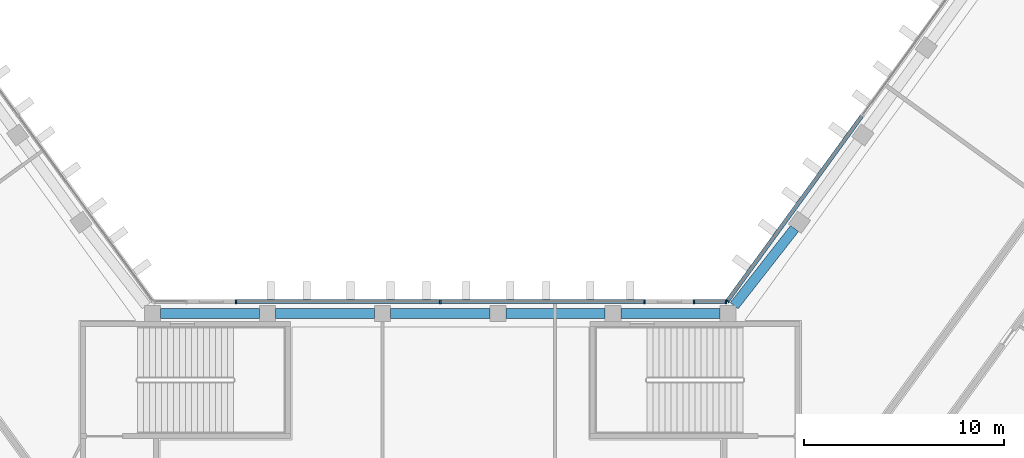
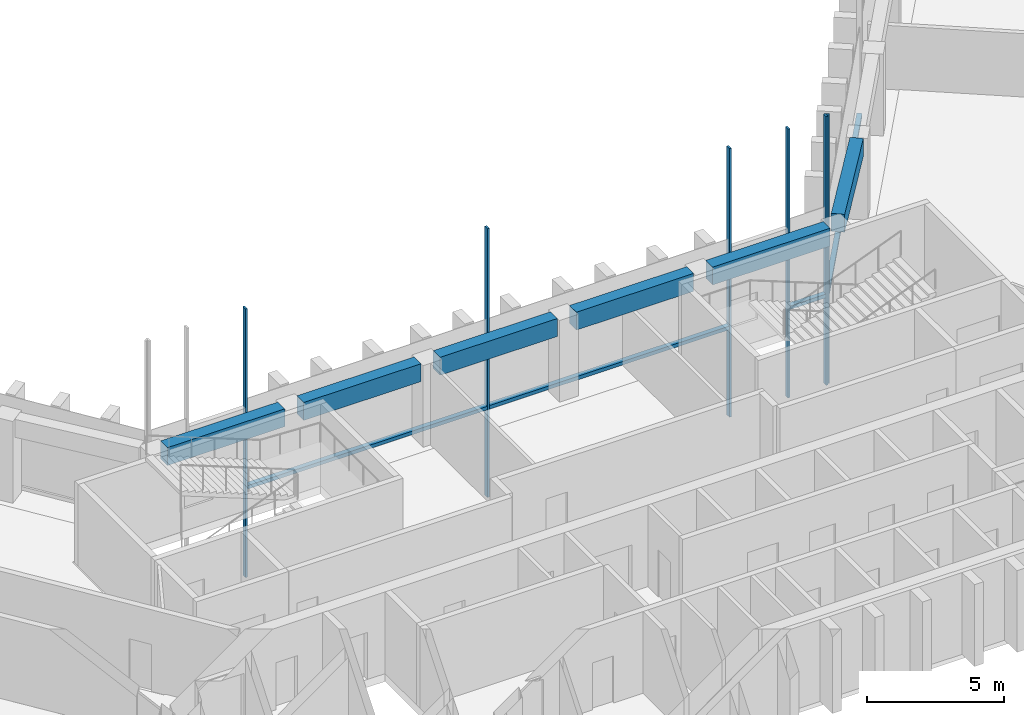
# One storey, part 3 of 15: 10 members, 6 beams, 3 elements without a shape of their own.
"""IFC4 building model written with IfcOpenShell, lengths in metres."""

from ifc_helpers import new_model, si_unit, direction, frame, origin, origin_2d, place, context, subcontext, project, spatial, rectangle, extrude, material, material_profile, profile_set, type_object, element, aggregate, save


model = new_model("IFC4")

# Units and contexts
model_context = context("Model", 3, precision=1e-05, world=origin(), true_north=direction((0.0, 1.0)))
body_context = subcontext(model_context, "Body", "Model", "MODEL_VIEW")
ifc_project = project(units=[si_unit("LENGTHUNIT", "METRE"), si_unit("AREAUNIT", "SQUARE_METRE"), si_unit("VOLUMEUNIT", "CUBIC_METRE"), si_unit("PLANEANGLEUNIT", "RADIAN"), si_unit("MASSUNIT", "GRAM", prefix="KILO")], contexts=[model_context])

# Site, building, storey
site_placement = place(None, origin())
site = spatial("IfcSite", under=ifc_project, at=site_placement, CompositionType="ELEMENT")
building_placement = place(site_placement, origin())
building = spatial("IfcBuilding", under=site, at=building_placement, Name="Quipu Civic Tower", CompositionType="ELEMENT")
storey_placement = place(building_placement, frame((0.0, 0.0, 160.0)))
storey = spatial("IfcBuildingStorey", under=building, at=storey_placement, Name="L37", CompositionType="ELEMENT", Elevation=160.0)

# Curtain wall, member
ifc_material_1 = material(Name="Insulated glass unit", Category="glass")
curtain_wall_type = type_object("IfcCurtainWallType", Name="Office curtain wall CW1", PredefinedType="NOTDEFINED", material=ifc_material_1)
curtain_wall_1_placement = place(storey_placement, origin())
curtain_wall_1 = element("IfcCurtainWall", 1, at=curtain_wall_1_placement, inside=storey, type_object=curtain_wall_type, Name="Office curtain wall CW1 L36 run 36", PredefinedType="NOTDEFINED")
ifc_material_2 = material(Name="Anodised aluminium", Category="aluminium")
ifc_material_profile_1 = material_profile(ifc_material_2, rectangle(XDim=0.199951171875, YDim=0.080078125, at=origin_2d()), Name="RECT 200x80")
ifc_profile_set_1 = profile_set([ifc_material_profile_1], Name="Anodised aluminium")
member_type_1 = type_object("IfcMemberType", Name="Mullion CW1", PredefinedType="MULLION", material=ifc_profile_set_1)
member_1_placement = place(storey_placement, frame((14.36767578125, 11.13232421875, -3.919921875), z_axis=(0.0, 0.0, 1.0), x_axis=(0.809014469803, -0.587788727052, 0.0)))
member_1 = element("IfcMember", 2, at=member_1_placement, type_object=member_type_1, Name="CW1 mullion 3", PredefinedType="MULLION", context=body_context, shape_type="SweptSolid", body=[
    extrude(rectangle(XDim=0.199951171875, YDim=0.080078125, at=origin_2d()), origin(), (0.0, 0.0, 1.0), 12.0),
])

# Curtain wall, members
curtain_wall_2_placement = place(storey_placement, origin())
curtain_wall_2 = element("IfcCurtainWall", 3, at=curtain_wall_2_placement, inside=storey, type_object=curtain_wall_type, Name="Office curtain wall CW1 L36 run 37", PredefinedType="NOTDEFINED")
member_2_placement = place(storey_placement, frame((14.30419921875, 11.10009765625, -3.919921875), z_axis=(0.0, 0.0, 1.0), x_axis=(0.0, -1.0, 0.0)))
member_2 = element("IfcMember", 4, at=member_2_placement, type_object=member_type_1, Name="CW1 mullion 1", PredefinedType="MULLION", context=body_context, shape_type="SweptSolid", body=[
    extrude(rectangle(XDim=0.199951171875, YDim=0.080078125, at=origin_2d()), origin(), (0.0, 0.0, 1.0), 12.0),
])
member_3_placement = place(storey_placement, frame((12.695068359375, 11.10009765625, -3.919921875), z_axis=(0.0, 0.0, 1.0), x_axis=(0.0, -1.0, 0.0)))
member_3 = element("IfcMember", 5, at=member_3_placement, type_object=member_type_1, Name="CW1 mullion 2", PredefinedType="MULLION", context=body_context, shape_type="SweptSolid", body=[
    extrude(rectangle(XDim=0.199951171875, YDim=0.080078125, at=origin_2d()), origin(), (0.0, 0.0, 1.0), 12.0),
])

curtain_wall_3_placement = place(storey_placement, origin())
curtain_wall_3 = element("IfcCurtainWall", 6, at=curtain_wall_3_placement, inside=storey, type_object=curtain_wall_type, Name="Office curtain wall CW1 L36 run 39", PredefinedType="NOTDEFINED")
member_4_placement = place(storey_placement, frame((10.223388671875, 11.10009765625, -3.919921875), z_axis=(0.0, 0.0, 1.0), x_axis=(0.0, -1.0, 0.0)))
member_4 = element("IfcMember", 7, at=member_4_placement, type_object=member_type_1, Name="CW1 mullion 1", PredefinedType="MULLION", context=body_context, shape_type="SweptSolid", body=[
    extrude(rectangle(XDim=0.199951171875, YDim=0.080078125, at=origin_2d()), origin(), (0.0, 0.0, 1.0), 12.0),
])
member_5_placement = place(storey_placement, frame((0.0, 11.10009765625, -3.919921875), z_axis=(0.0, 0.0, 1.0), x_axis=(0.0, -1.0, 0.0)))
member_5 = element("IfcMember", 8, at=member_5_placement, type_object=member_type_1, Name="CW1 mullion 2", PredefinedType="MULLION", context=body_context, shape_type="SweptSolid", body=[
    extrude(rectangle(XDim=0.199951171875, YDim=0.080078125, at=origin_2d()), origin(), (0.0, 0.0, 1.0), 12.0),
])
member_6_placement = place(storey_placement, frame((-10.223388671875, 11.10009765625, -3.919921875), z_axis=(0.0, 0.0, 1.0), x_axis=(0.0, -1.0, 0.0)))
member_6 = element("IfcMember", 9, at=member_6_placement, type_object=member_type_1, Name="CW1 mullion 3", PredefinedType="MULLION", context=body_context, shape_type="SweptSolid", body=[
    extrude(rectangle(XDim=0.199951171875, YDim=0.080078125, at=origin_2d()), origin(), (0.0, 0.0, 1.0), 12.0),
])

# Beams
ifc_material_3 = material(Name="Concrete C50/60", Category="concrete")
ifc_material_profile_2 = material_profile(ifc_material_3, rectangle(XDim=0.5, YDim=0.800048828125, at=origin_2d()), Name="RC500x800")
ifc_profile_set_2 = profile_set([ifc_material_profile_2], Name="Concrete C50/60")
beam_type = type_object("IfcBeamType", Name="Spandrel beam RC 500x800 C50/60", PredefinedType="SPANDREL", material=ifc_profile_set_2)
beam_placement = place(storey_placement, frame((17.72705078125, 14.759765625, 3.25), z_axis=(-0.616090612932, -0.787675286306, 0.0), x_axis=(0.787675286306, -0.616090612932, 0.0)))
element("IfcBeam", 10, at=beam_placement, inside=storey, type_object=beam_type, Name="Spandrel beam L37 E-IN-01 to J-Ei.0", PredefinedType="SPANDREL", context=body_context, shape_type="SweptSolid", body=[
    extrude(rectangle(XDim=0.5, YDim=0.800048828125, at=origin_2d()), origin(), (0.0, 0.0, 1.0), 4.900390625),
])
for number, where, z_axis, x_axis, name in (
    (11, (13.9951171875, 10.5, 3.25), (-1.0, 0.0, 0.0), (0.0, -1.0, 0.0), "Spandrel beam L37 J-Ei.0 to FRONT-01"),
    (12, (8.237060546875, 10.5, 3.25), (-1.0, 0.0, 0.0), (0.0, -1.0, 0.0), "Spandrel beam L37 FRONT-01 to FRONT-02"),
    (13, (2.47900390625, 10.5, 3.25), (-1.0, 0.0, 0.0), (0.0, -1.0, 0.0), "Spandrel beam L37 FRONT-02 to FRONT-03"),
    (14, (-3.279052734375, 10.5, 3.25), (-1.0, 0.0, 0.0), (0.0, -1.0, 0.0), "Spandrel beam L37 FRONT-03 to FRONT-04"),
    (15, (-9.037109375, 10.5, 3.25), (-1.0, 0.0, 0.0), (0.0, -1.0, 0.0), "Spandrel beam L37 FRONT-04 to J-Wi.0"),
):
    element("IfcBeam", number, at=place(storey_placement, frame(where, z_axis=z_axis, x_axis=x_axis)), inside=storey, type_object=beam_type, Name=name, PredefinedType="SPANDREL", context=body_context, shape_type="SweptSolid", body=[
        extrude(rectangle(XDim=0.5, YDim=0.800048828125, at=origin_2d()), origin(), (0.0, 0.0, 1.0), 4.9580078125),
    ])

# Member
ifc_material_4 = material(Name="Anodised aluminium", Category="aluminium")
ifc_material_profile_3 = material_profile(ifc_material_4, rectangle(XDim=0.199951171875, YDim=0.159912109375, at=origin_2d()), Name="RECT 200x160")
ifc_profile_set_3 = profile_set([ifc_material_profile_3], Name="Anodised aluminium")
member_type_2 = type_object("IfcMemberType", Name="Transom CW1", PredefinedType="USERDEFINED", material=ifc_profile_set_3)
member_7_placement = place(storey_placement, frame((21.09326171875, 20.38916015625, 0.080078125), z_axis=(-0.587799878401, -0.809006367683, 0.0), x_axis=(0.809006367683, -0.587799878401, 0.0)))
member_7 = element("IfcMember", 16, at=member_7_placement, type_object=member_type_2, Name="CW1 transom 2.2", ObjectType="TRANSOM", PredefinedType="USERDEFINED", context=body_context, shape_type="SweptSolid", body=[
    extrude(rectangle(XDim=0.199951171875, YDim=0.159912109375, at=origin_2d()), origin(), (0.0, 0.0, 1.0), 11.402099609375),
])

aggregate(curtain_wall_1, [member_1, member_7])

member_8_placement = place(storey_placement, frame((14.26416015625, 11.10009765625, 0.080078125), z_axis=(-1.0, 0.0, 0.0), x_axis=(0.0, -1.0, 0.0)))
member_8 = element("IfcMember", 17, at=member_8_placement, type_object=member_type_2, Name="CW1 transom 1.2", ObjectType="TRANSOM", PredefinedType="USERDEFINED", context=body_context, shape_type="SweptSolid", body=[
    extrude(rectangle(XDim=0.199951171875, YDim=0.159912109375, at=origin_2d()), origin(), (0.0, 0.0, 1.0), 1.529052734375),
])

aggregate(curtain_wall_2, [member_2, member_3, member_8])

member_9_placement = place(storey_placement, frame((10.18359375, 11.10009765625, 0.080078125), z_axis=(-1.0, 0.0, 0.0), x_axis=(0.0, -1.0, 0.0)))
member_9 = element("IfcMember", 18, at=member_9_placement, type_object=member_type_2, Name="CW1 transom 1.2", ObjectType="TRANSOM", PredefinedType="USERDEFINED", context=body_context, shape_type="SweptSolid", body=[
    extrude(rectangle(XDim=0.199951171875, YDim=0.159912109375, at=origin_2d()), origin(), (0.0, 0.0, 1.0), 10.1435546875),
])

member_10_placement = place(storey_placement, frame((-0.0400390625, 11.10009765625, 0.080078125), z_axis=(-1.0, 0.0, 0.0), x_axis=(0.0, -1.0, 0.0)))
member_10 = element("IfcMember", 19, at=member_10_placement, type_object=member_type_2, Name="CW1 transom 2.2", ObjectType="TRANSOM", PredefinedType="USERDEFINED", context=body_context, shape_type="SweptSolid", body=[
    extrude(rectangle(XDim=0.199951171875, YDim=0.159912109375, at=origin_2d()), origin(), (0.0, 0.0, 1.0), 10.1435546875),
])

aggregate(curtain_wall_3, [member_4, member_5, member_6, member_9, member_10])

save(model, "model.ifc")
